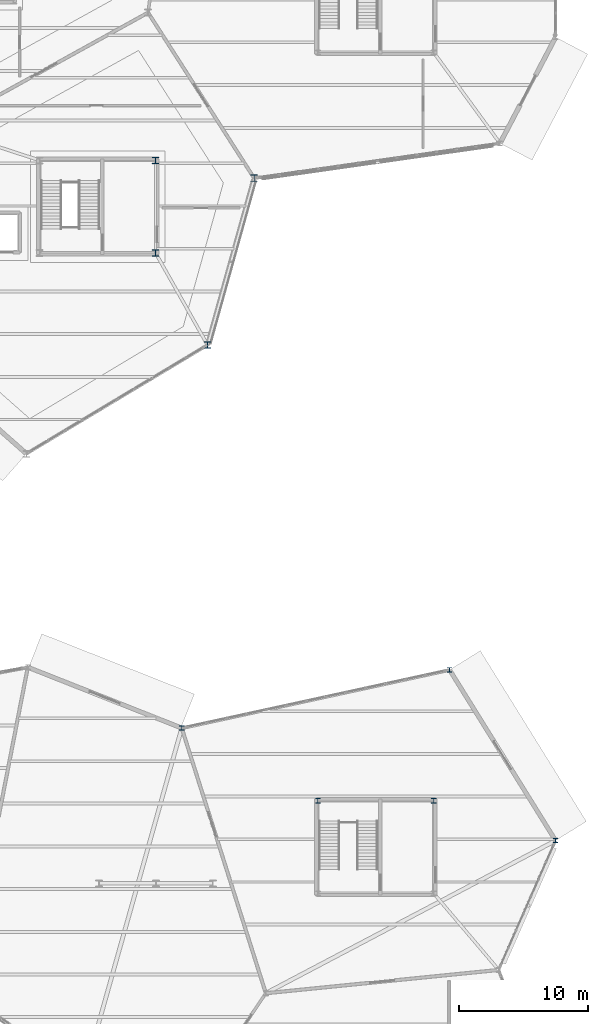
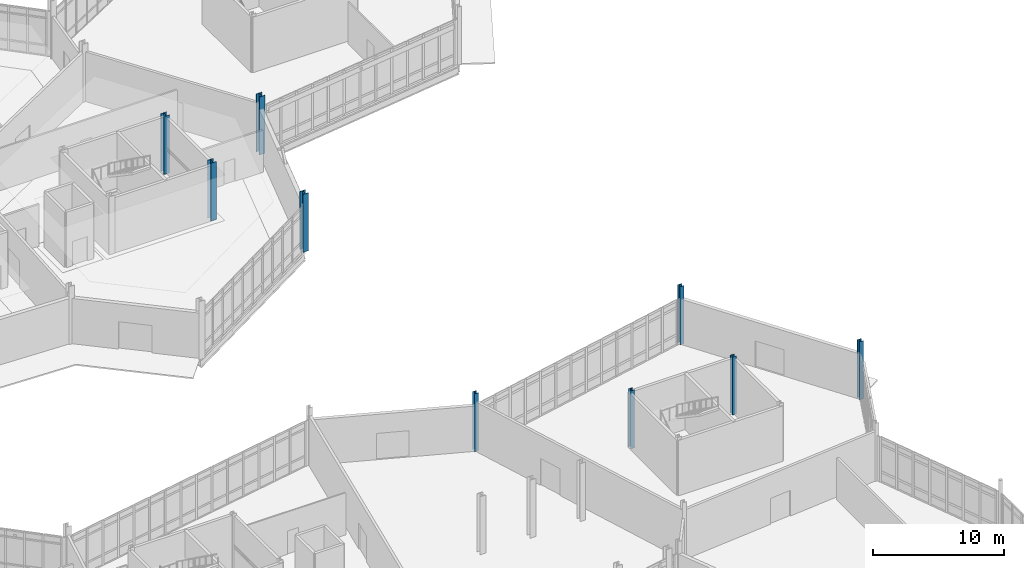
# One storey, part 20 of 113: 9 columns.
"""IFC4 building model written with IfcOpenShell, lengths in metres."""

import ifcopenshell
import ifcopenshell.guid

model = None  # the IFC model being written
_history = None  # IfcOwnerHistory: only IFC2X3 demands one
_inside = {}  # id of a spatial element -> (the spatial element, [elements in it])
_under = {}  # id of a project, library or spatial element -> (it, [spatial elements below it])
_declared = {}  # id of a project -> (the project, [libraries it declares])
_typed = {}  # id of a type object -> (the type object, [elements of that type])
_made_of = {}  # id of a material, layer set ... -> (it, [elements and type objects made of it])


def new_model(schema):
    """Start an empty IFC model of exactly this schema.

    Asked for "IFC4X3", IfcOpenShell would pick the latest addendum, in which some entities
    have other attributes; the version numbers below select the first issue.
    IFC2X3 requires an IfcOwnerHistory on every rooted entity: one is made here for all.
    """
    global model, _history
    if schema == "IFC4X3":
        model = ifcopenshell.file(schema_version=(4, 3, 0, 0))
    else:
        model = ifcopenshell.file(schema=schema)
    _inside.clear()
    _under.clear()
    _declared.clear()
    _typed.clear()
    _made_of.clear()
    _history = None
    if model.schema == "IFC2X3":
        org = make("IfcOrganization", Name="unknown")
        user = make(
            "IfcPersonAndOrganization",
            ThePerson=make("IfcPerson", FamilyName="unknown"),
            TheOrganization=org,
        )
        app = make(
            "IfcApplication",
            ApplicationDeveloper=org,
            Version="unknown",
            ApplicationFullName="unknown",
            ApplicationIdentifier="unknown",
        )
        _history = make(
            "IfcOwnerHistory",
            OwningUser=user,
            OwningApplication=app,
            ChangeAction="ADDED",
            CreationDate=0,
        )
    return model


def make(cls, **values):
    """One entity of the class cls with the attributes given. An attribute that is None is left unset."""
    return model.create_entity(
        cls, **{name: value for name, value in values.items() if value is not None}
    )


def rooted(cls, **values):
    """An entity with a GlobalId (a new one), such as an element, a storey or a relation."""
    return make(cls, GlobalId=ifcopenshell.guid.new(), OwnerHistory=_history, **values)


def si_unit(unit_type, name, prefix=None):
    """IfcSIUnit, for example si_unit("LENGTHUNIT", "METRE", prefix="MILLI")."""
    return make("IfcSIUnit", UnitType=unit_type, Prefix=prefix, Name=name)


def assignment(units):
    """IfcUnitAssignment: the units of a project."""
    return None if units is None else make("IfcUnitAssignment", Units=units)


def point(xyz):
    """IfcCartesianPoint."""
    return None if xyz is None else make("IfcCartesianPoint", Coordinates=xyz)


def direction(xyz):
    """IfcDirection."""
    return None if xyz is None else make("IfcDirection", DirectionRatios=xyz)


def frame(location, z_axis=None, x_axis=None):
    """IfcAxis2Placement3D, a coordinate frame: its origin and axes. An axis left out is left unset."""
    return make(
        "IfcAxis2Placement3D",
        Location=point(location),
        Axis=direction(z_axis),
        RefDirection=direction(x_axis),
    )


def frame_2d(location, x_axis=None):
    """IfcAxis2Placement2D, a coordinate frame in the plane: its origin and x axis."""
    return make(
        "IfcAxis2Placement2D", Location=point(location), RefDirection=direction(x_axis)
    )


def origin():
    """The frame at (0, 0, 0) with its axes left unset."""
    return frame((0.0, 0.0, 0.0))


def origin_2d():
    """The frame at (0, 0) in the plane with its x axis left unset."""
    return frame_2d((0.0, 0.0))


def place(relative_to, where):
    """IfcLocalPlacement: puts the frame where relative to a parent placement (None: the world)."""
    return make(
        "IfcLocalPlacement", PlacementRelTo=relative_to, RelativePlacement=where
    )


def context(
    kind, dimensions, precision=None, world=None, true_north=None, identifier=None
):
    """IfcGeometricRepresentationContext, for example the 3D "Model" context."""
    return make(
        "IfcGeometricRepresentationContext",
        ContextIdentifier=identifier,
        ContextType=kind,
        CoordinateSpaceDimension=dimensions,
        Precision=precision,
        WorldCoordinateSystem=world,
        TrueNorth=true_north,
    )


def subcontext(parent, identifier, kind, view, scale=None):
    """IfcGeometricRepresentationSubContext, for example "Body" below "Model"."""
    return make(
        "IfcGeometricRepresentationSubContext",
        ContextIdentifier=identifier,
        ContextType=kind,
        ParentContext=parent,
        TargetScale=scale,
        TargetView=view,
    )


def project(units=None, contexts=None):
    """IfcProject with its units and contexts."""
    return rooted(
        "IfcProject",
        Name="project",
        RepresentationContexts=contexts,
        UnitsInContext=assignment(units),
    )


def spatial(cls, under=None, at=None, **own):
    """A site, building, storey or space (cls), placed at a placement, below another one or the project."""
    s = rooted(cls, ObjectPlacement=at, **own)
    if under is not None:
        _under.setdefault(under.id(), (under, []))[1].append(s)
    return s


def profile(cls, at=None, kind="AREA", **sizes):
    """A parametric profile (cls). Its sizes go by their IFC names, for example OverallWidth=200.0."""
    return make(cls, ProfileType=kind, Position=at, **sizes)


def i_section(**sizes):
    """IfcIShapeProfileDef."""
    return profile("IfcIShapeProfileDef", **sizes)


def extrude(swept, where, along, depth):
    """IfcExtrudedAreaSolid: the profile swept, set in the frame where, extruded along a direction by depth."""
    return make(
        "IfcExtrudedAreaSolid",
        SweptArea=swept,
        Position=where,
        ExtrudedDirection=direction(along),
        Depth=depth,
    )


def shape(context_of_items, identifier, shape_type, items):
    """IfcShapeRepresentation: the items that make up one representation, for example the "Body"."""
    return make(
        "IfcShapeRepresentation",
        ContextOfItems=context_of_items,
        RepresentationIdentifier=identifier,
        RepresentationType=shape_type,
        Items=items,
    )


def material(Name=None, Category=None):
    """IfcMaterial."""
    return make("IfcMaterial", Name=Name, Category=Category)


def material_profile(
    of_material, cross_section, Name=None, Category=None, Priority=None
):
    """IfcMaterialProfile: a cross section and its material."""
    return make(
        "IfcMaterialProfile",
        Name=Name,
        Material=of_material,
        Profile=cross_section,
        Priority=Priority,
        Category=Category,
    )


def profile_set(profiles, Name=None, composite=None):
    """IfcMaterialProfileSet."""
    return make(
        "IfcMaterialProfileSet",
        Name=Name,
        MaterialProfiles=profiles,
        CompositeProfile=composite,
    )


def made_of(thing, what):
    """Note that an element or type object is made of a material, layer set ...; save() writes the relation."""
    if what is not None:
        _made_of.setdefault(what.id(), (what, []))[1].append(thing)
    return thing


def type_object(cls, material=None, **own):
    """A type object (cls), such as IfcWallType, which elements share."""
    return made_of(rooted(cls, **own), material)


def element(
    cls,
    number,
    at=None,
    inside=None,
    cuts=None,
    type_object=None,
    material=None,
    context=None,
    identifier="Body",
    shape_type=None,
    held_by="IfcProductDefinitionShape",
    body=None,
    shapes=None,
    **own,
):
    """One element of the class cls, such as IfcWall. Its Tag is "e" and its number.

    at: its placement. inside: the storey or other place that contains it. cuts: it is an
    opening in that element (IfcRelVoidsElement). A single representation is given by context,
    identifier, shape_type and body (its items); several are given by shapes. held_by: the class
    of the entity that holds the representations. save() writes the other relations.
    """
    e = rooted(cls, Tag="e%d" % number, ObjectPlacement=at, **own)
    if body is not None:
        shapes = [shape(context, identifier, shape_type, body)]
    if shapes is not None:
        e.Representation = make(held_by, Representations=shapes)
    if inside is not None:
        _inside.setdefault(inside.id(), (inside, []))[1].append(e)
    if cuts is not None:
        rooted(
            "IfcRelVoidsElement", RelatingBuildingElement=cuts, RelatedOpeningElement=e
        )
    if type_object is not None:
        _typed.setdefault(type_object.id(), (type_object, []))[1].append(e)
    return made_of(e, material)


def aggregate(whole, parts):
    """IfcRelAggregates: a whole, such as a stair, and the parts it consists of."""
    return rooted("IfcRelAggregates", RelatingObject=whole, RelatedObjects=parts)


def save(model, path):
    """Write the relations noted so far, then the file.

    IfcRelAggregates (storeys below a building ...), IfcRelContainedInSpatialStructure (elements
    in a storey), IfcRelDefinesByType, IfcRelAssociatesMaterial and IfcRelDeclares: one each for
    every whole, place, type object, material and project.
    """
    for whole, parts in _under.values():
        aggregate(whole, parts)
    for where, things in _inside.values():
        rooted(
            "IfcRelContainedInSpatialStructure",
            RelatedElements=things,
            RelatingStructure=where,
        )
    for kind, things in _typed.values():
        rooted("IfcRelDefinesByType", RelatedObjects=things, RelatingType=kind)
    for what, things in _made_of.values():
        rooted("IfcRelAssociatesMaterial", RelatedObjects=things, RelatingMaterial=what)
    for by, libraries in _declared.values():
        rooted("IfcRelDeclares", RelatingContext=by, RelatedDefinitions=libraries)
    model.write(path)


model = new_model("IFC4")

# Units and contexts
model_context = context("Model", 3, precision=1e-05, world=origin(), true_north=direction((0.0, 1.0)))
body_context = subcontext(model_context, "Body", "Model", "MODEL_VIEW")
ifc_project = project(units=[si_unit("LENGTHUNIT", "METRE"), si_unit("AREAUNIT", "SQUARE_METRE"), si_unit("VOLUMEUNIT", "CUBIC_METRE"), si_unit("PLANEANGLEUNIT", "RADIAN"), si_unit("MASSUNIT", "GRAM", prefix="KILO")], contexts=[model_context])

# Site, building, storey
site_placement = place(None, origin())
site = spatial("IfcSite", under=ifc_project, at=site_placement, CompositionType="ELEMENT")
building_placement = place(site_placement, origin())
building = spatial("IfcBuilding", under=site, at=building_placement, Name="Tameran Prism Museum", CompositionType="ELEMENT")
storey_placement = place(building_placement, origin())
storey = spatial("IfcBuildingStorey", under=building, at=storey_placement, Name="L00", CompositionType="ELEMENT", Elevation=0.0)

# Columns
ifc_material_1 = material(Name="Steel Grade 350 (350 MPa)", Category="steel")
ifc_material_profile_1 = material_profile(ifc_material_1, i_section(OverallWidth=0.35009765625, OverallDepth=0.35009765625, WebThickness=0.02001953125, FlangeThickness=0.028076171875, at=origin_2d()))
ifc_profile_set_1 = profile_set([ifc_material_profile_1])
column_type_1 = type_object("IfcColumnType", Name="COL-WC350", PredefinedType="COLUMN", material=ifc_profile_set_1)
for number, where, z_axis, x_axis, name in (
    (1, (137.5, 42.699951171875, 0.0), (0.0, 0.0, 1.0), (1.0, 0.0, 0.0), "Column CV-56 L00"),
    (2, (158.199951171875, 47.199951171875, 0.0), (0.0, 0.0, 1.0), (1.0, 0.0, 0.0), "Column CV-65 L00"),
    (3, (166.39990234375, 34.0, 0.0), (0.0, 0.0, 1.0), (1.0, 0.0, 0.0), "Column CV-70 L00"),
    (4, (156.97998046875, 37.080078125, 0.0), (0.0, 0.0, 1.0), (1.0, 0.0, 0.0), "Column CC-13-3 L00"),
    (5, (148.02001953125, 37.080078125, 0.0), (0.0, 0.0, 1.0), (1.0, 0.0, 0.0), "Column CC-13-4 L00"),
):
    element("IfcColumn", number, at=place(storey_placement, frame(where, z_axis=z_axis, x_axis=x_axis)), inside=storey, type_object=column_type_1, Name=name, PredefinedType="COLUMN", context=body_context, shape_type="SweptSolid", body=[
        extrude(i_section(OverallWidth=0.35009765625, OverallDepth=0.35009765625, WebThickness=0.02001953125, FlangeThickness=0.028076171875, at=origin_2d()), origin(), (0.0, 0.0, 1.0), 5.39990234375),
    ])
ifc_material_2 = material(Name="Steel Grade 350 (350 MPa)", Category="steel")
ifc_material_profile_2 = material_profile(ifc_material_2, i_section(OverallWidth=0.5, OverallDepth=0.5, WebThickness=0.02197265625, FlangeThickness=0.035888671875, at=origin_2d()))
ifc_profile_set_2 = profile_set([ifc_material_profile_2])
column_type_2 = type_object("IfcColumnType", Name="COL-WC500", PredefinedType="COLUMN", material=ifc_profile_set_2)
for number, where, z_axis, x_axis, name in (
    (6, (139.5, 72.300048828125, 0.0), (0.0, 0.0, 1.0), (1.0, 0.0, 0.0), "Column CV-57 L00"),
    (7, (143.10009765625, 85.199951171875, 0.0), (0.0, 0.0, 1.0), (1.0, 0.0, 0.0), "Column CV-60 L00"),
    (8, (135.47998046875, 79.419921875, 0.0), (0.0, 0.0, 1.0), (1.0, 0.0, 0.0), "Column CC-2-2 L00"),
    (9, (135.47998046875, 86.580078125, 0.0), (0.0, 0.0, 1.0), (1.0, 0.0, 0.0), "Column CC-2-3 L00"),
):
    element("IfcColumn", number, at=place(storey_placement, frame(where, z_axis=z_axis, x_axis=x_axis)), inside=storey, type_object=column_type_2, Name=name, PredefinedType="COLUMN", context=body_context, shape_type="SweptSolid", body=[
        extrude(i_section(OverallWidth=0.5, OverallDepth=0.5, WebThickness=0.02197265625, FlangeThickness=0.035888671875, at=origin_2d()), origin(), (0.0, 0.0, 1.0), 5.39990234375),
    ])

save(model, "model.ifc")
